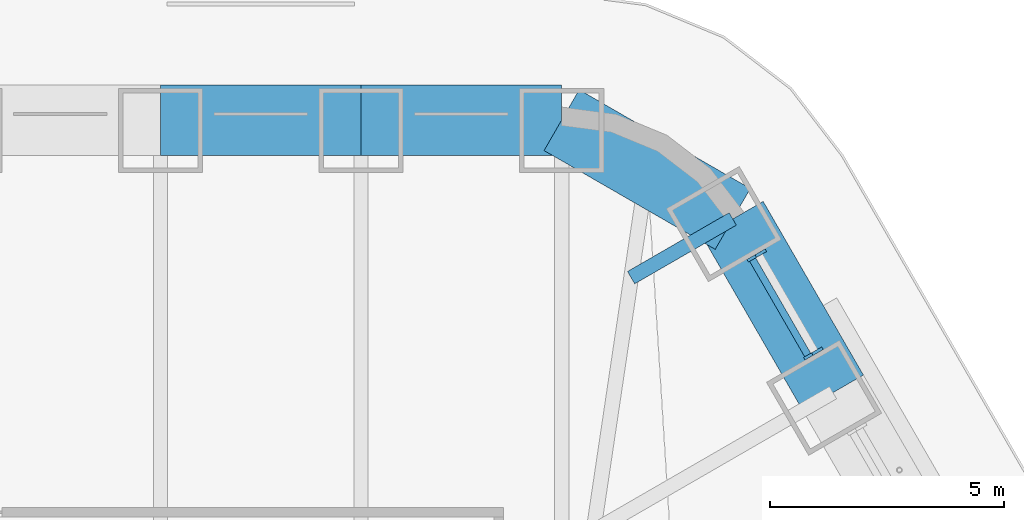
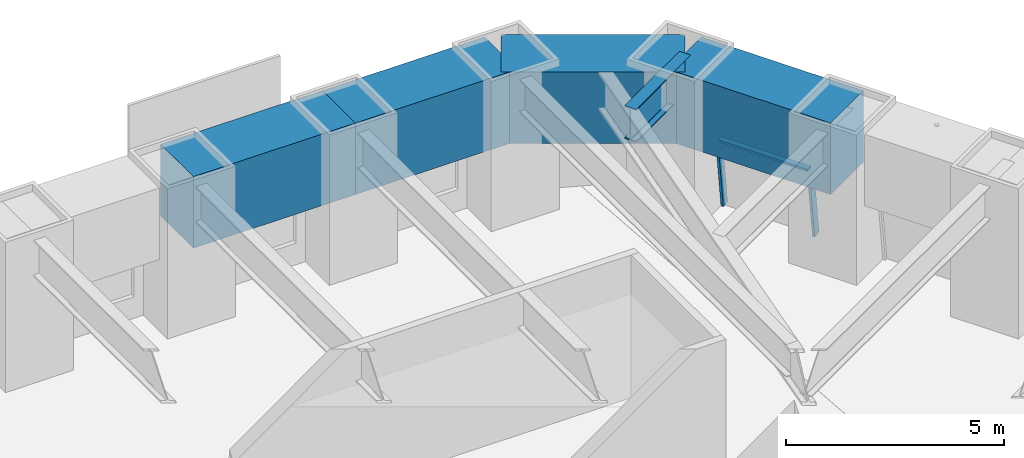
# One storey, part 11 of 18: 5 beams, 3 members, 1 element without a shape of its own.
"""IFC4 building model written with IfcOpenShell, lengths in metres."""

from ifc_helpers import new_model, si_unit, direction, frame, origin, origin_2d, place, context, subcontext, project, spatial, rectangle, i_section, extrude, material, material_profile, profile_set, type_object, element, aggregate, save


model = new_model("IFC4")

# Units and contexts
model_context = context("Model", 3, precision=1e-05, world=origin(), true_north=direction((0.0, 1.0)))
body_context = subcontext(model_context, "Body", "Model", "MODEL_VIEW")
ifc_project = project(units=[si_unit("LENGTHUNIT", "METRE"), si_unit("AREAUNIT", "SQUARE_METRE"), si_unit("VOLUMEUNIT", "CUBIC_METRE"), si_unit("PLANEANGLEUNIT", "RADIAN"), si_unit("MASSUNIT", "GRAM", prefix="KILO")], contexts=[model_context])

# Site, building, storey
site_placement = place(None, origin())
site = spatial("IfcSite", under=ifc_project, at=site_placement, CompositionType="ELEMENT")
building_placement = place(site_placement, origin())
building = spatial("IfcBuilding", under=site, at=building_placement, Name="Tarfa Lantern Tower", CompositionType="ELEMENT")
storey_placement = place(building_placement, frame((0.0, 0.0, 311.5)))
storey = spatial("IfcBuildingStorey", under=building, at=storey_placement, Name="L70", CompositionType="ELEMENT", Elevation=311.5)

# Curtain wall, members
ifc_material_1 = material(Name="Aluminium framed curtain wall", Category="aluminium")
curtain_wall_type = type_object("IfcCurtainWallType", Name="CW4 CANTED GLAZING EXECUTIVE ZONE 2000", PredefinedType="USERDEFINED", material=ifc_material_1)
curtain_wall_placement = place(storey_placement, origin())
curtain_wall = element("IfcCurtainWall", 1, at=curtain_wall_placement, inside=storey, type_object=curtain_wall_type, Name="CW4 NE L70", ObjectType="CURTAIN WALL", PredefinedType="USERDEFINED")
ifc_material_2 = material(Name="Aluminium mullion", Category="aluminium")
ifc_material_profile_1 = material_profile(ifc_material_2, rectangle(XDim=0.06494140625, YDim=0.199951171875, at=origin_2d()), Name="AL MULLION 65x200")
ifc_profile_set_1 = profile_set([ifc_material_profile_1], Name="Aluminium mullion")
member_type_1 = type_object("IfcMemberType", Name="CWM1 MULLION 65x200", PredefinedType="MULLION", material=ifc_profile_set_1)
member_1_placement = place(storey_placement, frame((18.331298828125, 21.54931640625, 0.0), z_axis=(-0.107439978116, -0.062017213975, 0.992275423596), x_axis=(0.499919672301, -0.866071776036, 0.0)))
member_1 = element("IfcMember", 2, at=member_1_placement, type_object=member_type_1, Name="CW4 mullion 1", PredefinedType="MULLION", context=body_context, shape_type="SweptSolid", body=[
    extrude(rectangle(XDim=0.06494140625, YDim=0.199951171875, at=origin_2d()), origin(), (0.0, 0.0, 1.0), 2.015625),
])
member_2_placement = place(storey_placement, frame((17.122802734375, 23.642333984375, 0.0), z_axis=(-0.107439978116, -0.062017213975, 0.992275423596), x_axis=(0.499919672301, -0.866071776036, 0.0)))
member_2 = element("IfcMember", 3, at=member_2_placement, type_object=member_type_1, Name="CW4 mullion 2", PredefinedType="MULLION", context=body_context, shape_type="SweptSolid", body=[
    extrude(rectangle(XDim=0.06494140625, YDim=0.199951171875, at=origin_2d()), origin(), (0.0, 0.0, 1.0), 2.015625),
])
ifc_material_3 = material(Name="Aluminium transom", Category="aluminium")
ifc_material_profile_2 = material_profile(ifc_material_3, rectangle(XDim=0.14990234375, YDim=0.06494140625, at=origin_2d()), Name="AL TRANSOM 150x65")
ifc_profile_set_2 = profile_set([ifc_material_profile_2], Name="Aluminium transom")
member_type_2 = type_object("IfcMemberType", Name="CWT1 TRANSOM 150x65", PredefinedType="USERDEFINED", material=ifc_profile_set_2)
member_3_placement = place(storey_placement, frame((18.10205078125, 21.454345703125, 1.967529296875), z_axis=(-0.500012978079, 0.866017910757, 0.0), x_axis=(-0.866017910757, -0.500012978079, 0.0)))
member_3 = element("IfcMember", 4, at=member_3_placement, type_object=member_type_2, Name="CW4 transom 1.2", ObjectType="TRANSOM", PredefinedType="USERDEFINED", context=body_context, shape_type="SweptSolid", body=[
    extrude(rectangle(XDim=0.14990234375, YDim=0.06494140625, at=origin_2d()), origin(), (0.0, 0.0, 1.0), 2.35205078125),
])
aggregate(curtain_wall, [member_1, member_2, member_3])

# Beams
ifc_material_4 = material(Name="Concrete C80/95", Category="concrete")
ifc_material_profile_3 = material_profile(ifc_material_4, rectangle(XDim=1.5, YDim=2.0, at=origin_2d()), Name="RC 1500x2000")
ifc_profile_set_3 = profile_set([ifc_material_profile_3], Name="Concrete C80/95")
beam_type_1 = type_object("IfcBeamType", Name="RB3 RC 1500x2000", PredefinedType="BEAM", material=ifc_profile_set_3)
beam_1_placement = place(storey_placement, frame((18.6416015625, 20.651611328125, 3.0), z_axis=(-0.499959351497, 0.866048870937, 0.0), x_axis=(-0.866048870937, -0.499959351497, 0.0)))
element("IfcBeam", 5, at=beam_1_placement, inside=storey, type_object=beam_type_1, Name="Edge beam NE5", PredefinedType="BEAM", context=body_context, shape_type="SweptSolid", body=[
    extrude(rectangle(XDim=1.5, YDim=2.0, at=origin_2d()), origin(), (0.0, 0.0, 1.0), 4.281982421875),
])
beam_2_placement = place(storey_placement, frame((16.500732421875, 24.360107421875, 3.0), z_axis=(-0.866048788483, 0.499959494327, 0.0), x_axis=(-0.499959494327, -0.866048788483, 0.0)))
element("IfcBeam", 6, at=beam_2_placement, inside=storey, type_object=beam_type_1, Name="Edge beam NE6", PredefinedType="BEAM", context=body_context, shape_type="SweptSolid", body=[
    extrude(rectangle(XDim=1.5, YDim=2.0, at=origin_2d()), origin(), (0.0, 0.0, 1.0), 4.219970703125),
])
for number, where, z_axis, x_axis, name in (
    (7, (12.845947265625, 26.469970703125, 3.0), (-1.0, 0.0, 0.0), (0.0, -1.0, 0.0), "Edge beam N0"),
    (8, (8.56396484375, 26.469970703125, 3.0), (-1.0, 0.0, 0.0), (0.0, -1.0, 0.0), "Edge beam N1"),
):
    element("IfcBeam", number, at=place(storey_placement, frame(where, z_axis=z_axis, x_axis=x_axis)), inside=storey, type_object=beam_type_1, Name=name, PredefinedType="BEAM", context=body_context, shape_type="SweptSolid", body=[
        extrude(rectangle(XDim=1.5, YDim=2.0, at=origin_2d()), origin(), (0.0, 0.0, 1.0), 4.281982421875),
    ])
ifc_material_5 = material(Name="Steel S460M", Category="steel")
ifc_material_profile_4 = material_profile(ifc_material_5, i_section(OverallWidth=0.305419921875, OverallDepth=0.91845703125, WebThickness=0.017333984375, FlangeThickness=0.02783203125, FilletRadius=0.01904296875, at=origin_2d()), Name="UB914x305x253")
ifc_profile_set_4 = profile_set([ifc_material_profile_4], Name="Steel S460M")
beam_type_2 = type_object("IfcBeamType", Name="UB914x305x253", PredefinedType="BEAM", material=ifc_profile_set_4)
beam_3_placement = place(storey_placement, frame((16.500732421875, 24.360107421875, 3.540771484375), z_axis=(-0.865992557167, -0.500056887695, 0.0), x_axis=(0.500056887695, -0.865992557167, 0.0)))
element("IfcBeam", 9, at=beam_3_placement, inside=storey, type_object=beam_type_2, Name="Floor beam NE6", PredefinedType="BEAM", context=body_context, shape_type="SweptSolid", body=[
    extrude(i_section(OverallWidth=0.305419921875, OverallDepth=0.91845703125, WebThickness=0.017333984375, FlangeThickness=0.02783203125, FilletRadius=0.01904296875, at=origin_2d()), origin(), (0.0, 0.0, 1.0), 2.506591796875),
])

save(model, "model.ifc")
